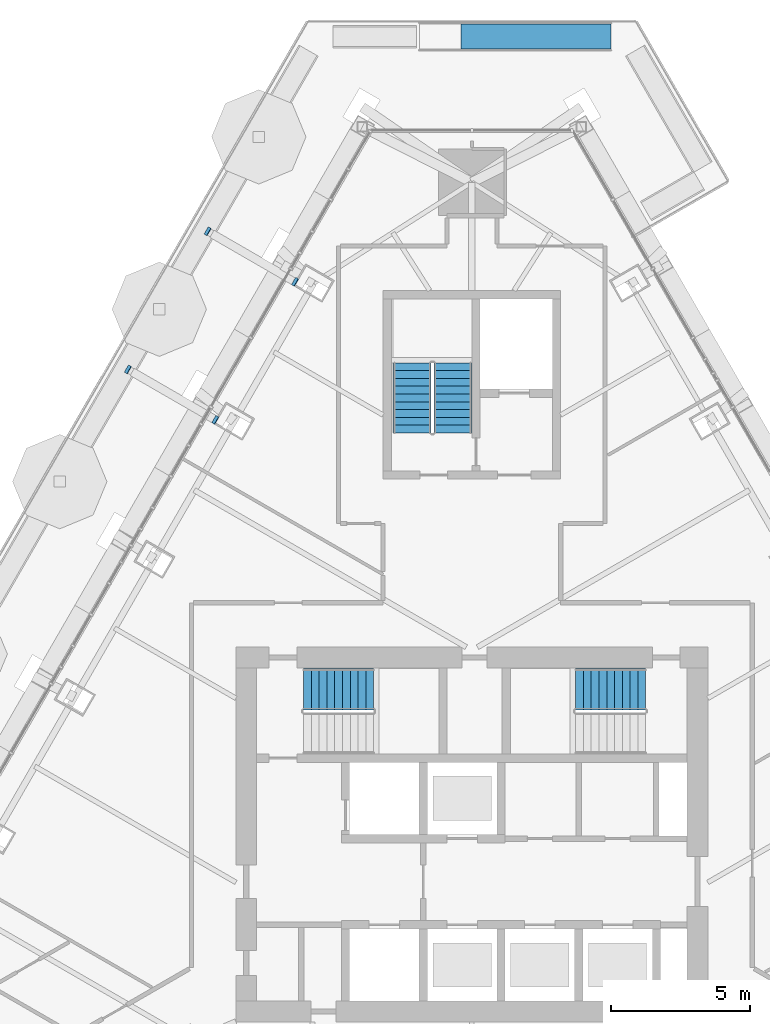
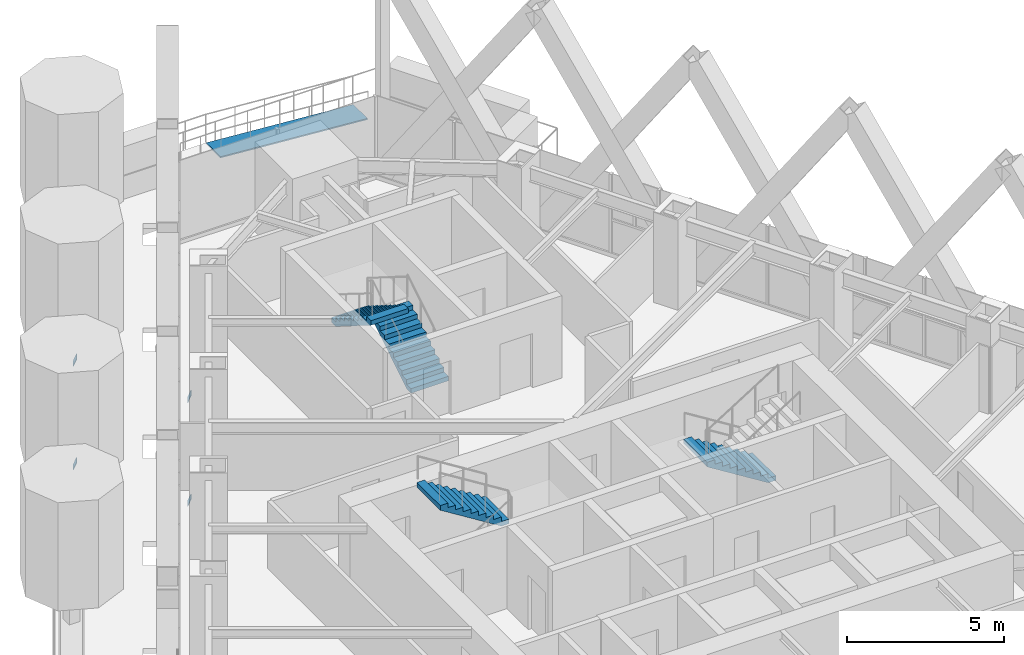
# One storey, part 21 of 24: 4 discrete accessories, 4 stair flights, 1 ramp flight, 4 elements without a shape of their own.
"""IFC4 building model written with IfcOpenShell, lengths in metres."""

from ifc_helpers import new_model, si_unit, direction, frame, origin, place, context, subcontext, project, spatial, polyline, outline, extrude, material, layer, layer_set, type_object, element, aggregate, save


model = new_model("IFC4")

# Units and contexts
model_context = context("Model", 3, precision=1e-05, world=origin(), true_north=direction((0.0, 1.0)))
body_context = subcontext(model_context, "Body", "Model", "MODEL_VIEW")
ifc_project = project(units=[si_unit("LENGTHUNIT", "METRE"), si_unit("AREAUNIT", "SQUARE_METRE"), si_unit("VOLUMEUNIT", "CUBIC_METRE"), si_unit("PLANEANGLEUNIT", "RADIAN"), si_unit("MASSUNIT", "GRAM", prefix="KILO")], contexts=[model_context])

# Site, building, storey
site_placement = place(None, origin())
site = spatial("IfcSite", under=ifc_project, at=site_placement, CompositionType="ELEMENT")
building_placement = place(site_placement, origin())
building = spatial("IfcBuilding", under=site, at=building_placement, Name="Firuza Gate Tower and Library", CompositionType="ELEMENT")
storey_placement = place(building_placement, frame((0.0, 0.0, 323.10009765625)))
storey = spatial("IfcBuildingStorey", under=building, at=storey_placement, Name="L79", CompositionType="ELEMENT", Elevation=323.10009765625)

# Stair, stair flights
ifc_material_1 = material(Name="Concrete C35/45", Category="concrete")
stair_type_1 = type_object("IfcStairType", Name="Exit stair ST17", PredefinedType="HALF_TURN_STAIR", material=ifc_material_1)
placement = place(storey_placement, origin())
stair_1 = element("IfcStair", 1, at=placement, inside=storey, type_object=stair_type_1, Name="L79 Stair ST3", PredefinedType="HALF_TURN_STAIR")
ifc_material_2 = material(Name="Concrete C35/45", Category="concrete")
stair_flight_type_1 = type_object("IfcStairFlightType", Name="Stair flight 10 risers 175 width 1370", PredefinedType="STRAIGHT", material=ifc_material_2)
stair_flight_1_placement = place(storey_placement, frame((74.31494140625, 89.469970703125, 0.0), z_axis=(0.0, 0.0, 1.0), x_axis=(0.0, 1.0, 0.0)))
stair_flight_1 = element("IfcStairFlight", 2, at=stair_flight_1_placement, type_object=stair_flight_type_1, Name="ST3 flight 1", NumberOfRisers=10, NumberOfTreads=9, PredefinedType="STRAIGHT", RiserHeight=0.175, TreadLength=0.28, context=body_context, shape_type="SweptSolid", body=[
    extrude(outline(polyline([(0.0, 0.0), (0.0, 0.175048828125), (0.280029296875, 0.175048828125), (0.280029296875, 0.35009765625), (0.56005859375, 0.35009765625), (0.56005859375, 0.52490234375), (0.840087890625, 0.52490234375), (0.840087890625, 0.699951171875), (1.1201171875, 0.699951171875), (1.1201171875, 0.875), (1.39990234375, 0.875), (1.39990234375, 1.050048828125), (1.679931640625, 1.050048828125), (1.679931640625, 1.22509765625), (1.9599609375, 1.22509765625), (1.9599609375, 1.39990234375), (2.239990234375, 1.39990234375), (2.239990234375, 1.574951171875), (2.52001953125, 1.574951171875), (2.52001953125, 1.75), (2.52001953125, 1.398193359375), (0.28271484375, 0.0), (0.0, 0.0)])), frame((0.0, 0.68505859375, 0.0), z_axis=(0.0, -1.0, 0.0), x_axis=(1.0, 0.0, 0.0)), (0.0, 0.0, 1.0), 1.3701171875),
])
stair_flight_2_placement = place(storey_placement, frame((72.844970703125, 91.989990234375, 1.75), z_axis=(0.0, 0.0, 1.0), x_axis=(0.0, -1.0, 0.0)))
stair_flight_2 = element("IfcStairFlight", 3, at=stair_flight_2_placement, type_object=stair_flight_type_1, Name="ST3 flight 2", NumberOfRisers=10, NumberOfTreads=9, PredefinedType="STRAIGHT", RiserHeight=0.175, TreadLength=0.28, context=body_context, shape_type="SweptSolid", body=[
    extrude(outline(polyline([(0.0, 0.0), (0.0, 0.175048828125), (0.280029296875, 0.175048828125), (0.280029296875, 0.35009765625), (0.56005859375, 0.35009765625), (0.56005859375, 0.52490234375), (0.840087890625, 0.52490234375), (0.840087890625, 0.699951171875), (1.1201171875, 0.699951171875), (1.1201171875, 0.875), (1.39990234375, 0.875), (1.39990234375, 1.050048828125), (1.679931640625, 1.050048828125), (1.679931640625, 1.22509765625), (1.9599609375, 1.22509765625), (1.9599609375, 1.39990234375), (2.239990234375, 1.39990234375), (2.239990234375, 1.574951171875), (2.52001953125, 1.574951171875), (2.52001953125, 1.75), (2.52001953125, 1.398193359375), (0.28271484375, 0.0), (0.0, 0.0)])), frame((0.0, 0.68505859375, 0.0), z_axis=(0.0, -1.0, 0.0), x_axis=(1.0, 0.0, 0.0)), (0.0, 0.0, 1.0), 1.3701171875),
])
aggregate(stair_1, [stair_flight_1, stair_flight_2])

# Stair, stair flight
ifc_material_3 = material(Name="Concrete C35/45", Category="concrete")
stair_type_2 = type_object("IfcStairType", Name="Exit stair ST8", PredefinedType="HALF_TURN_STAIR", material=ifc_material_3)
stair_2 = element("IfcStair", 4, at=placement, inside=storey, type_object=stair_type_2, Name="L79 Stair ST1", PredefinedType="HALF_TURN_STAIR")
ifc_material_4 = material(Name="Concrete C35/45", Category="concrete")
stair_flight_type_2 = type_object("IfcStairFlightType", Name="Stair flight 10 risers 175 width 1490", PredefinedType="STRAIGHT", material=ifc_material_4)
stair_flight_3_placement = place(storey_placement, frame((71.4599609375, 80.235107421875, 1.75), z_axis=(0.0, 0.0, 1.0), x_axis=(-1.0, 0.0, 0.0)))
stair_flight_3 = element("IfcStairFlight", 5, at=stair_flight_3_placement, type_object=stair_flight_type_2, Name="ST1 flight 2", NumberOfRisers=10, NumberOfTreads=9, PredefinedType="STRAIGHT", RiserHeight=0.175, TreadLength=0.28, context=body_context, shape_type="SweptSolid", body=[
    extrude(outline(polyline([(0.0, 0.0), (0.0, 0.175048828125), (0.280029296875, 0.175048828125), (0.280029296875, 0.35009765625), (0.56005859375, 0.35009765625), (0.56005859375, 0.52490234375), (0.840087890625, 0.52490234375), (0.840087890625, 0.699951171875), (1.1201171875, 0.699951171875), (1.1201171875, 0.875), (1.39990234375, 0.875), (1.39990234375, 1.050048828125), (1.679931640625, 1.050048828125), (1.679931640625, 1.22509765625), (1.9599609375, 1.22509765625), (1.9599609375, 1.39990234375), (2.239990234375, 1.39990234375), (2.239990234375, 1.574951171875), (2.52001953125, 1.574951171875), (2.52001953125, 1.75), (2.52001953125, 1.398193359375), (0.28271484375, 0.0), (0.0, 0.0)])), frame((0.0, 0.7451171875, 0.0), z_axis=(0.0, -1.0, 0.0), x_axis=(1.0, 0.0, 0.0)), (0.0, 0.0, 1.0), 1.489990234375),
])
aggregate(stair_2, [stair_flight_3])

stair_3 = element("IfcStair", 6, at=placement, inside=storey, type_object=stair_type_2, Name="L79 Stair ST2", PredefinedType="HALF_TURN_STAIR")
stair_flight_4_placement = place(storey_placement, frame((81.260009765625, 80.235107421875, 0.0), z_axis=(0.0, 0.0, 1.0), x_axis=(-1.0, 0.0, 0.0)))
stair_flight_4 = element("IfcStairFlight", 7, at=stair_flight_4_placement, type_object=stair_flight_type_2, Name="ST2 flight 1", NumberOfRisers=10, NumberOfTreads=9, PredefinedType="STRAIGHT", RiserHeight=0.175, TreadLength=0.28, context=body_context, shape_type="SweptSolid", body=[
    extrude(outline(polyline([(0.0, 0.0), (0.0, 0.175048828125), (0.280029296875, 0.175048828125), (0.280029296875, 0.35009765625), (0.56005859375, 0.35009765625), (0.56005859375, 0.52490234375), (0.840087890625, 0.52490234375), (0.840087890625, 0.699951171875), (1.1201171875, 0.699951171875), (1.1201171875, 0.875), (1.39990234375, 0.875), (1.39990234375, 1.050048828125), (1.679931640625, 1.050048828125), (1.679931640625, 1.22509765625), (1.9599609375, 1.22509765625), (1.9599609375, 1.39990234375), (2.239990234375, 1.39990234375), (2.239990234375, 1.574951171875), (2.52001953125, 1.574951171875), (2.52001953125, 1.75), (2.52001953125, 1.398193359375), (0.28271484375, 0.0), (0.0, 0.0)])), frame((0.0, 0.7451171875, 0.0), z_axis=(0.0, -1.0, 0.0), x_axis=(1.0, 0.0, 0.0)), (0.0, 0.0, 1.0), 1.489990234375),
])
aggregate(stair_3, [stair_flight_4])

# Ramp, ramp flight
ifc_material_5 = material(Name="Concrete C40/50", Category="concrete")
ifc_layer_1 = layer(ifc_material_5, 0.050048828125)
ifc_layer_set_1 = layer_set([ifc_layer_1], Name="Garden ramp")
ramp_type = type_object("IfcRampType", Name="Garden ramp", PredefinedType="STRAIGHT_RUN_RAMP", material=ifc_layer_set_1)
ramp = element("IfcRamp", 8, at=placement, inside=storey, type_object=ramp_type, Name="Garden ramp 9", PredefinedType="STRAIGHT_RUN_RAMP")
ifc_material_6 = material(Name="Concrete C40/50", Category="concrete")
ifc_layer_2 = layer(ifc_material_6, 0.050048828125)
ifc_layer_set_2 = layer_set([ifc_layer_2], Name="Garden ramp flight")
ramp_flight_type = type_object("IfcRampFlightType", Name="Garden ramp flight", PredefinedType="STRAIGHT", material=ifc_layer_set_2)
ramp_flight_placement = place(storey_placement, frame((80.009521484375, 103.74267578125, -0.000244140625), z_axis=(0.0, 0.0, 1.0), x_axis=(-1.0, 0.0, 0.0)))
ramp_flight = element("IfcRampFlight", 9, at=ramp_flight_placement, type_object=ramp_flight_type, Name="Garden ramp 9 flight", PredefinedType="STRAIGHT", context=body_context, shape_type="SweptSolid", body=[
    extrude(outline(polyline([(0.0, 0.050048828125), (5.400146484375, 0.4501953125), (5.400146484375, 0.400146484375), (0.0, 0.0), (0.0, 0.050048828125)])), frame((0.0, 0.4501953125, 0.0), z_axis=(0.0, -1.0, 0.0), x_axis=(1.0, 0.0, 0.0)), (0.0, 0.0, 1.0), 0.900146484375),
])
aggregate(ramp, [ramp_flight])

# Discrete accessories
ifc_material_7 = material(Name="Steel S355", Category="steel")
ifc_layer_3 = layer(ifc_material_7, 0.02001953125)
ifc_layer_set_3 = layer_set([ifc_layer_3], Name="Strut seat plate 304x304x20 Steel S355")
discrete_accessory_type = type_object("IfcDiscreteAccessoryType", Name="Strut seat plate 304x304x20 Steel S355", PredefinedType="BRACKET", material=ifc_layer_set_3)
discrete_accessory_1_placement = place(storey_placement, frame((68.595458984375, 94.75732421875, -1.53564453125), z_axis=(-0.807236862691, 0.465771176803, 0.362527045021), x_axis=(0.499768824934, 0.866158831638, 0.0)))
element("IfcDiscreteAccessory", 10, at=discrete_accessory_1_placement, inside=storey, type_object=discrete_accessory_type, Name="Strut seat plate L79 col:L78:W1", PredefinedType="BRACKET", context=body_context, shape_type="SweptSolid", body=[
    extrude(outline(polyline([(0.0, 0.0), (0.30385142324571607, 6.938893903907228e-18), (0.3039349890174445, 0.3041366961441935), (8.356577172844576e-05, 0.3041366961441935), (0.0, 0.0)])), origin(), (0.0, 0.0, -1.0), 0.02001953125),
])
discrete_accessory_2_placement = place(storey_placement, frame((65.597412109375, 96.839111328125, -0.12109375), z_axis=(-0.806912615133, 0.466332615239, 0.36252713485), x_axis=(-0.500371262739, -0.865810949009, 0.0)))
element("IfcDiscreteAccessory", 11, at=discrete_accessory_2_placement, inside=storey, type_object=discrete_accessory_type, Name="Strut seat plate L79 col:L78:W1", PredefinedType="BRACKET", context=body_context, shape_type="SweptSolid", body=[
    extrude(outline(polyline([(0.0, 0.0), (0.3039735106735333, 0.0), (0.3039666476986559, -0.3041367075471871), (-6.862974877369643e-06, -0.30413670754718714), (0.0, 0.0)])), origin(), (0.0, 0.0, -1.0), 0.02001953125),
])
discrete_accessory_3_placement = place(storey_placement, frame((65.723388671875, 89.782958984375, -1.53564453125), z_axis=(-0.807328680114, 0.465982478786, 0.362050730879), x_axis=(0.499879541517, 0.86609493793, -4.9649318e-05)))
element("IfcDiscreteAccessory", 12, at=discrete_accessory_3_placement, inside=storey, type_object=discrete_accessory_type, Name="Strut seat plate L79 col:L78:W2", PredefinedType="BRACKET", context=body_context, shape_type="SweptSolid", body=[
    extrude(outline(polyline([(0.0, 0.0), (0.3038514203886584, 6.938893903907228e-18), (0.30405700574970995, 0.3040600955330893), (-0.00012790450209466603, 0.30409248121935917), (0.0, 0.0)])), origin(), (0.0, 0.0, -1.0), 0.02001953125),
])
discrete_accessory_4_placement = place(storey_placement, frame((62.725341796875, 91.86474609375, -0.12109375), z_axis=(-0.807389027558, 0.465642999667, 0.362352804651), x_axis=(-0.499617796206, -0.866245954172, -6.7784983e-05)))
element("IfcDiscreteAccessory", 13, at=discrete_accessory_4_placement, inside=storey, type_object=discrete_accessory_type, Name="Strut seat plate L79 col:L78:W2", PredefinedType="BRACKET", context=body_context, shape_type="SweptSolid", body=[
    extrude(outline(polyline([(0.0, 0.0), (0.30385141792910364, -6.938893903907228e-18), (0.3039793273513433, -0.30409247875968454), (-8.357640641559245e-05, -0.3041366908296457), (0.0, 0.0)])), origin(), (0.0, 0.0, -1.0), 0.02001953125),
])

save(model, "model.ifc")
